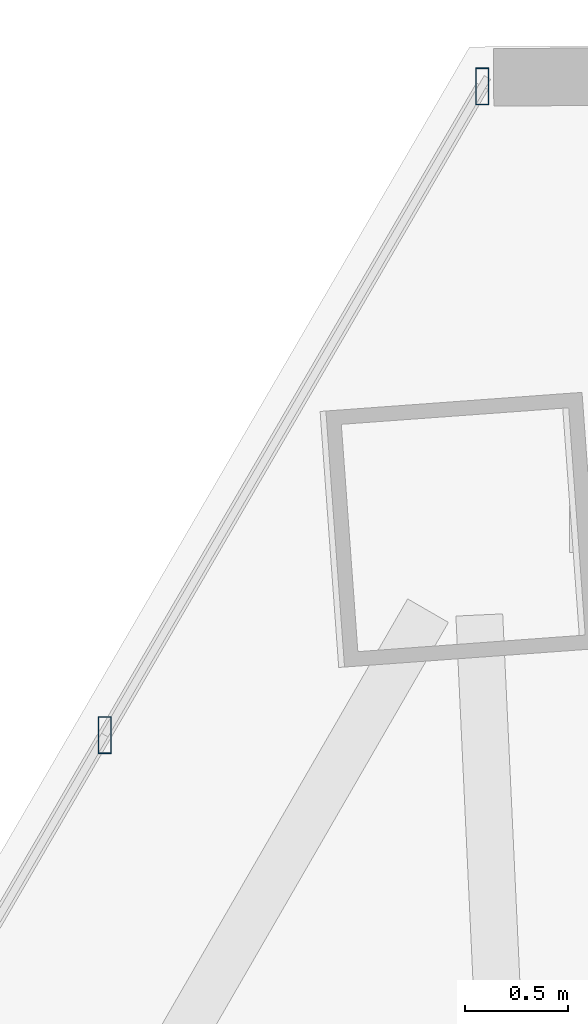
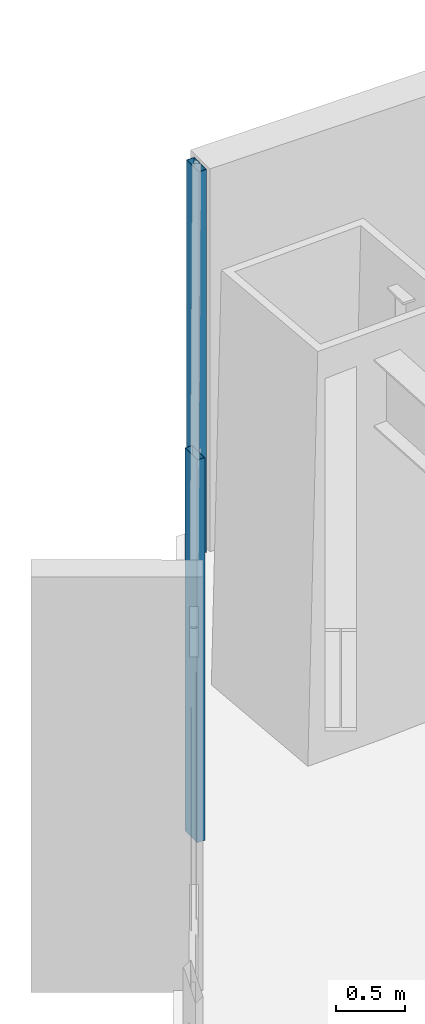
# One storey, part 28 of 38: 2 members, 1 element without a shape of its own.
"""IFC4 building model written with IfcOpenShell, lengths in metres."""

from ifc_helpers import new_model, si_unit, direction, frame, origin, origin_2d, place, context, subcontext, project, spatial, hollow_rectangle, extrude, source, transform, mapped, material, material_profile, profile_set, type_object, type_shapes, element, aggregate, save


model = new_model("IFC4")

# Units and contexts
model_context = context("Model", 3, precision=1e-05, world=origin(), true_north=direction((0.0, 1.0)))
body_context = subcontext(model_context, "Body", "Model", "MODEL_VIEW")
ifc_project = project(units=[si_unit("LENGTHUNIT", "METRE"), si_unit("AREAUNIT", "SQUARE_METRE"), si_unit("VOLUMEUNIT", "CUBIC_METRE"), si_unit("PLANEANGLEUNIT", "RADIAN"), si_unit("MASSUNIT", "GRAM", prefix="KILO")], contexts=[model_context])

# Site, building, storey
site_placement = place(None, origin())
site = spatial("IfcSite", under=ifc_project, at=site_placement, CompositionType="ELEMENT")
building_placement = place(site_placement, origin())
building = spatial("IfcBuilding", under=site, at=building_placement, Name="Caelisora Broadcast Tower", CompositionType="ELEMENT")
storey_placement = place(building_placement, frame((0.0, 0.0, 67.75)))
storey = spatial("IfcBuildingStorey", under=building, at=storey_placement, Name="L17", CompositionType="ELEMENT", Elevation=67.75)

# Curtain wall, members
ifc_material_1 = material(Name="Unitised Aluminium and Low-E Glass Curtain Wall", Category="glass")
curtain_wall_type = type_object("IfcCurtainWallType", Name="CW-Z1", PredefinedType="NOTDEFINED", material=ifc_material_1)
curtain_wall_placement = place(storey_placement, origin())
curtain_wall = element("IfcCurtainWall", 1, at=curtain_wall_placement, inside=storey, type_object=curtain_wall_type, Name="L17 curtain wall CW-Z1", PredefinedType="NOTDEFINED")
ifc_material_2 = material(Name="Aluminium 6063-T6 Anodised Terracotta Bronze", Category="aluminium")
ifc_material_profile = material_profile(ifc_material_2, hollow_rectangle(XDim=0.06494140625, YDim=0.179931640625, WallThickness=0.00341796875, at=origin_2d()), Name="Aluminium 6063-T6 Anodised Terracotta Bronze")
ifc_profile_set = profile_set([ifc_material_profile], Name="Aluminium 6063-T6 Anodised Terracotta Bronze")
member_type = type_object("IfcMemberType", Name="CWM-02", PredefinedType="MULLION", material=ifc_profile_set)
shared_shape = source(origin(), body_context, "Body", "SweptSolid", [
    extrude(hollow_rectangle(XDim=0.06494140625, YDim=0.179931640625, WallThickness=0.00341796875, at=origin_2d()), origin(), (0.0, 0.0, 1.0), 3.39990234375),
])
type_shapes(member_type, [shared_shape])
member_1_placement = place(storey_placement, frame((27.930908203125, 45.3447265625, 0.0), z_axis=(0.0, 0.0, 1.0), x_axis=(1.0, 0.0, 0.0)))
member_1 = element("IfcMember", 2, at=member_1_placement, type_object=member_type, Name="L17-CW-B11 mullion #2", PredefinedType="MULLION", context=body_context, shape_type="MappedRepresentation", body=[
    mapped(shared_shape, transform((0.0, 0.0, 0.0), scale=1.0)),
])
member_2_placement = place(storey_placement, frame((29.768798828125, 48.50390625, 0.0), z_axis=(0.0, 0.0, 1.0), x_axis=(1.0, 0.0, 0.0)))
member_2 = element("IfcMember", 3, at=member_2_placement, type_object=member_type, Name="L17-CW-B11 mullion #3", PredefinedType="MULLION", context=body_context, shape_type="MappedRepresentation", body=[
    mapped(shared_shape, transform((0.0, 0.0, 0.0), scale=1.0)),
])
aggregate(curtain_wall, [member_1, member_2])

save(model, "model.ifc")
